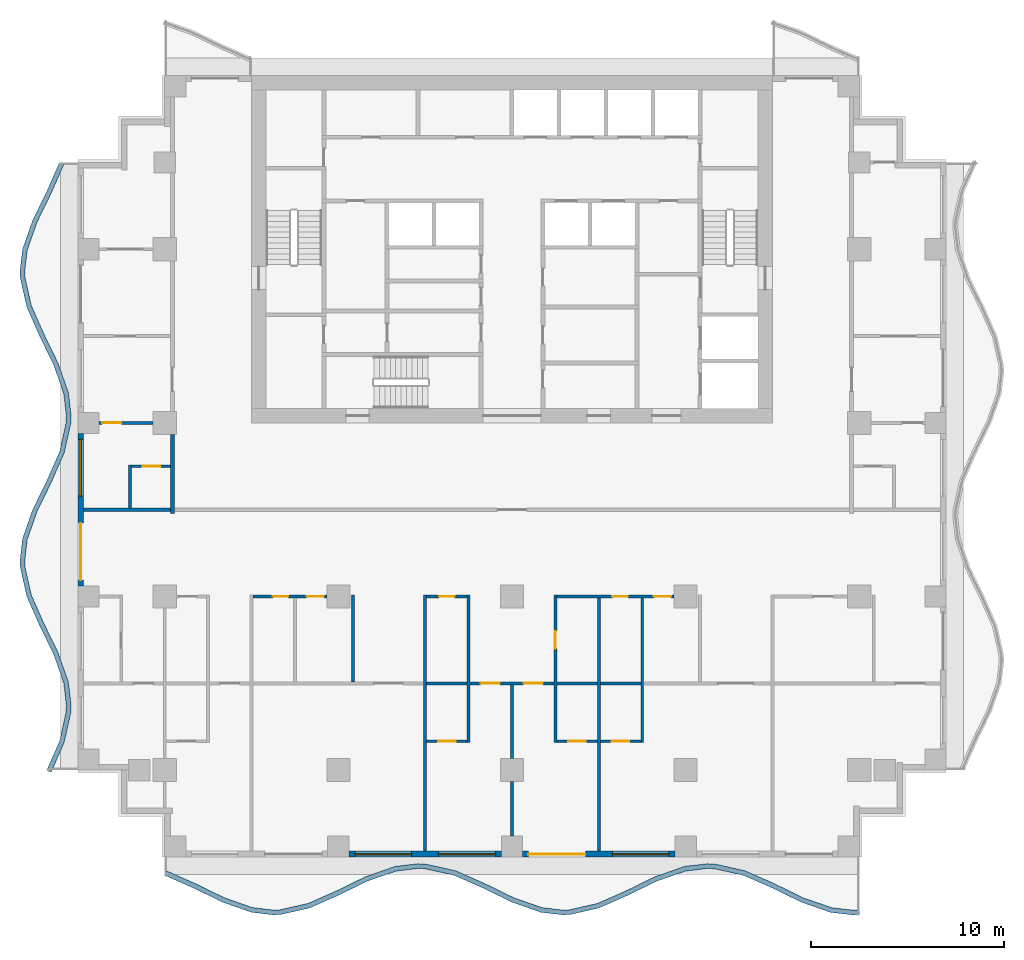
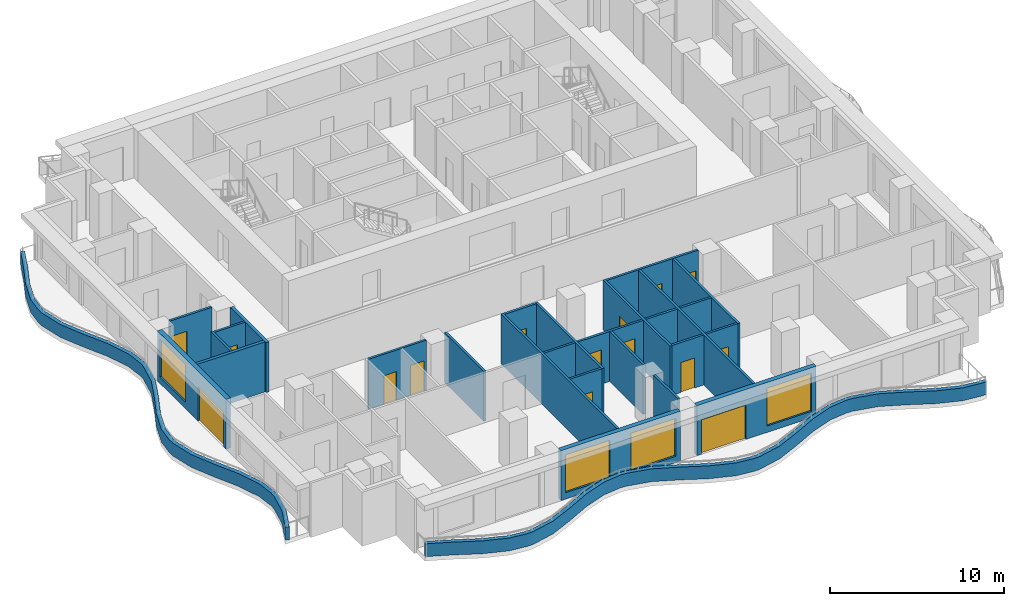
# One storey, part 2 of 10: 28 walls, 15 doors, 4 windows, 19 openings.
"""IFC4 building model written with IfcOpenShell, lengths in metres."""

from ifc_helpers import new_model, si_unit, direction, frame, frame_2d, origin, place, context, subcontext, project, spatial, polyline, rectangle, outline, extrude, material, layer, layer_set, type_object, element, fill, save


model = new_model("IFC4")

# Units and contexts
model_context = context("Model", 3, precision=1e-05, world=origin(), true_north=direction((0.0, 1.0)))
body_context = subcontext(model_context, "Body", "Model", "MODEL_VIEW")
ifc_project = project(units=[si_unit("LENGTHUNIT", "METRE"), si_unit("AREAUNIT", "SQUARE_METRE"), si_unit("VOLUMEUNIT", "CUBIC_METRE"), si_unit("PLANEANGLEUNIT", "RADIAN"), si_unit("MASSUNIT", "GRAM", prefix="KILO")], contexts=[model_context])

# Site, building, storey
site_placement = place(None, origin())
site = spatial("IfcSite", under=ifc_project, at=site_placement, CompositionType="ELEMENT")
building_placement = place(site_placement, origin())
building = spatial("IfcBuilding", under=site, at=building_placement, Name="Orbiselva Terraces", CompositionType="ELEMENT")
storey_placement = place(building_placement, frame((0.0, 0.0, 170.6)))
storey = spatial("IfcBuildingStorey", under=building, at=storey_placement, Name="L43", CompositionType="ELEMENT", Elevation=170.6)

# Walls
ifc_material_1 = material(Name="Concrete C40/50", Category="concrete")
ifc_layer_1 = layer(ifc_material_1, 0.25)
ifc_layer_set_1 = layer_set([ifc_layer_1], Name="Concrete C40/50")
wall_type_1 = type_object("IfcWallType", Name="ENV-PLANTER-250x900", PredefinedType="USERDEFINED", material=ifc_layer_set_1)
wall_1_placement = place(storey_placement, origin())
element("IfcWall", 1, at=wall_1_placement, inside=storey, type_object=wall_type_1, Name="Balcony planter L43 S", ObjectType="PLANTER", PredefinedType="USERDEFINED", context=body_context, shape_type="SweptSolid", body=[
    extrude(outline(polyline([(-18.0, -18.951472), (-16.5, -19.612279), (-15.0, -20.344789), (-13.5, -20.869208), (-12.375, -21.0), (-12.0, -20.985226), (-10.5, -20.648528), (-9.0, -19.987721), (-7.5, -19.255211), (-6.0, -18.730792), (-4.875, -18.6), (-4.5, -18.614774), (-3.0, -18.951472), (-1.5, -19.612279), (0.0, -20.344789), (1.5, -20.869208), (2.625, -21.0), (3.0, -20.985226), (4.5, -20.648528), (6.0, -19.987721), (7.5, -19.255211), (9.0, -18.730792), (10.125, -18.6), (10.5, -18.614774), (12.0, -18.951472), (13.5, -19.612279), (15.0, -20.344789), (16.5, -20.869208), (17.625, -21.0), (18.0, -20.985226), (17.990158, -20.73542), (17.634572, -20.749429), (16.556371, -20.624078), (15.09644, -20.113667), (13.605286, -19.385477), (12.078508, -18.712874), (10.532565, -18.365863), (10.115428, -18.349429), (8.943629, -18.485662), (7.40356, -19.024089), (5.894714, -19.760919), (4.421492, -20.40993), (2.967435, -20.736315), (2.634572, -20.749429), (1.556371, -20.624078), (0.09644, -20.113667), (-1.394714, -19.385477), (-2.921492, -18.712874), (-4.467435, -18.365863), (-4.884572, -18.349429), (-6.056371, -18.485662), (-7.59644, -19.024089), (-9.105286, -19.760919), (-10.578508, -20.40993), (-12.032565, -20.736315), (-12.365428, -20.749429), (-13.443629, -20.624078), (-14.90356, -20.113667), (-16.394714, -19.385477), (-17.899212, -18.722689), (-18.0, -18.951472)])), origin(), (0.0, 0.0, 1.0), 0.9),
])
wall_2_placement = place(storey_placement, origin())
element("IfcWall", 2, at=wall_2_placement, inside=storey, type_object=wall_type_1, Name="Balcony planter L43 W", ObjectType="PLANTER", PredefinedType="USERDEFINED", context=body_context, shape_type="SweptSolid", body=[
    extrude(outline(polyline([(-23.451472, 18.0), (-24.112279, 16.5), (-24.844789, 15.0), (-25.369208, 13.5), (-25.5, 12.375), (-25.485226, 12.0), (-25.148528, 10.5), (-24.487721, 9.0), (-23.755211, 7.5), (-23.230792, 6.0), (-23.1, 4.875), (-23.114774, 4.5), (-23.451472, 3.0), (-24.112279, 1.5), (-24.844789, 0.0), (-25.369208, -1.5), (-25.5, -2.625), (-25.485226, -3.0), (-25.148528, -4.5), (-24.487721, -6.0), (-23.755211, -7.5), (-23.230792, -9.0), (-23.1, -10.125), (-23.114774, -10.5), (-23.451472, -12.0), (-24.112279, -13.5), (-23.883496, -13.600788), (-23.212874, -12.078508), (-22.865863, -10.532565), (-22.849429, -10.115428), (-22.985662, -8.943629), (-23.524089, -7.40356), (-24.260919, -5.894714), (-24.90993, -4.421492), (-25.236315, -2.967435), (-25.249429, -2.634572), (-25.124078, -1.556371), (-24.613667, -0.09644), (-23.885477, 1.394714), (-23.212874, 2.921492), (-22.865863, 4.467435), (-22.849429, 4.884572), (-22.985662, 6.056371), (-23.524089, 7.59644), (-24.260919, 9.105286), (-24.90993, 10.578508), (-25.236315, 12.032565), (-25.249429, 12.365428), (-25.124078, 13.443629), (-24.613667, 14.90356), (-23.885477, 16.394714), (-23.222689, 17.899212), (-23.451472, 18.0)])), origin(), (0.0, 0.0, 1.0), 0.9),
])

# Wall, openings, windows
ifc_material_2 = material(Name="Terracotta cladding on masonry backing", Category="masonry")
ifc_layer_2 = layer(ifc_material_2, 0.3)
ifc_layer_set_2 = layer_set([ifc_layer_2], Name="Terracotta cladding on masonry backing")
wall_type_2 = type_object("IfcWallType", Name="ENV-WALL-TERRACOTTA-300", PredefinedType="SOLIDWALL", material=ifc_layer_set_2)
wall_3_placement = place(storey_placement, frame((-0.55, -17.85, 0.0), z_axis=(0.0, 0.0, 1.0), x_axis=(-1.0, 0.0, 0.0)))
wall_3 = element("IfcWall", 3, at=wall_3_placement, inside=storey, type_object=wall_type_2, Name="Facade wall L43 S", PredefinedType="SOLIDWALL", context=body_context, shape_type="SweptSolid", body=[
    extrude(rectangle(XDim=7.9, YDim=0.3, at=frame_2d((3.95, 0.0))), origin(), (0.0, 0.0, 1.0), 3.5),
])
opening_1_placement = place(wall_3_placement, frame((4.65, 0.0, 0.45)))
opening_1 = element("IfcOpeningElement", 4, at=opening_1_placement, cuts=wall_3, Name="Opening WN12", PredefinedType="OPENING", context=body_context, shape_type="SweptSolid", body=[
    extrude(rectangle(XDim=2.95, YDim=2.65, at=frame_2d((1.475, 1.325))), frame((0.0, 0.16, 0.0), z_axis=(0.0, -1.0, 0.0), x_axis=(1.0, 0.0, 0.0)), (0.0, 0.0, 1.0), 0.32),
])
opening_2_placement = place(wall_3_placement, frame((0.3, 0.0, 0.45)))
opening_2 = element("IfcOpeningElement", 5, at=opening_2_placement, cuts=wall_3, Name="Opening WN12", PredefinedType="OPENING", context=body_context, shape_type="SweptSolid", body=[
    extrude(rectangle(XDim=2.95, YDim=2.65, at=frame_2d((1.475, 1.325))), frame((0.0, 0.16, 0.0), z_axis=(0.0, -1.0, 0.0), x_axis=(1.0, 0.0, 0.0)), (0.0, 0.0, 1.0), 0.32),
])
ifc_material_3 = material(Name="Clear low-e glazing in aluminium frame", Category="aluminium")
window_type = type_object("IfcWindowType", Name="WINDOW 2950 X 2650 S450", PartitioningType="TRIPLE_PANEL_VERTICAL", PredefinedType="WINDOW", material=ifc_material_3)
window_1_placement = place(opening_1_placement, origin())
window_1 = element("IfcWindow", 6, at=window_1_placement, inside=storey, type_object=window_type, Name="Window L43 S", OverallHeight=2.65, OverallWidth=2.95, PartitioningType="SINGLE_PANEL", PredefinedType="WINDOW", context=body_context, shape_type="SweptSolid", body=[
    extrude(rectangle(XDim=2.95, YDim=2.65, at=frame_2d((1.475, 1.325))), frame((0.0, 0.03, 0.0), z_axis=(0.0, -1.0, 0.0), x_axis=(1.0, 0.0, 0.0)), (0.0, 0.0, 1.0), 0.06),
])
fill(opening_1, window_1)
window_2_placement = place(opening_2_placement, origin())
window_2 = element("IfcWindow", 7, at=window_2_placement, inside=storey, type_object=window_type, Name="Window L43 S", OverallHeight=2.65, OverallWidth=2.95, PartitioningType="SINGLE_PANEL", PredefinedType="WINDOW", context=body_context, shape_type="SweptSolid", body=[
    extrude(rectangle(XDim=2.95, YDim=2.65, at=frame_2d((1.475, 1.325))), frame((0.0, 0.03, 0.0), z_axis=(0.0, -1.0, 0.0), x_axis=(1.0, 0.0, 0.0)), (0.0, 0.0, 1.0), 0.06),
])
fill(opening_2, window_2)

# Wall, openings, door, window
wall_4_placement = place(storey_placement, frame((8.45, -17.85, 0.0), z_axis=(0.0, 0.0, 1.0), x_axis=(-1.0, 0.0, 0.0)))
wall_4 = element("IfcWall", 8, at=wall_4_placement, inside=storey, type_object=wall_type_2, Name="Facade wall L43 S", PredefinedType="SOLIDWALL", context=body_context, shape_type="SweptSolid", body=[
    extrude(rectangle(XDim=7.9, YDim=0.3, at=frame_2d((3.95, 0.0))), origin(), (0.0, 0.0, 1.0), 3.5),
])
opening_3_placement = place(wall_4_placement, frame((4.65, 0.0, 0.0)))
opening_3 = element("IfcOpeningElement", 9, at=opening_3_placement, cuts=wall_4, Name="Opening Z3-E-E02", PredefinedType="OPENING", context=body_context, shape_type="SweptSolid", body=[
    extrude(rectangle(XDim=2.95, YDim=2.4, at=frame_2d((1.475, 1.2))), frame((0.0, 0.16, 0.0), z_axis=(0.0, -1.0, 0.0), x_axis=(1.0, 0.0, 0.0)), (0.0, 0.0, 1.0), 0.32),
])
opening_4_placement = place(wall_4_placement, frame((0.3, 0.0, 0.45)))
opening_4 = element("IfcOpeningElement", 10, at=opening_4_placement, cuts=wall_4, Name="Opening WN12", PredefinedType="OPENING", context=body_context, shape_type="SweptSolid", body=[
    extrude(rectangle(XDim=2.95, YDim=2.65, at=frame_2d((1.475, 1.325))), frame((0.0, 0.16, 0.0), z_axis=(0.0, -1.0, 0.0), x_axis=(1.0, 0.0, 0.0)), (0.0, 0.0, 1.0), 0.32),
])
door_type_1 = type_object("IfcDoorType", Name="BALCONY DOOR 2950 X 2400", OperationType="DOUBLE_DOOR_SLIDING", PredefinedType="DOOR", material=ifc_material_3)
door_1_placement = place(opening_3_placement, origin())
door_1 = element("IfcDoor", 11, at=door_1_placement, inside=storey, type_object=door_type_1, Name="Z3-E-E02", OperationType="SINGLE_SWING_LEFT", OverallHeight=2.4, OverallWidth=2.95, PredefinedType="DOOR", context=body_context, shape_type="SweptSolid", body=[
    extrude(rectangle(XDim=2.95, YDim=2.4, at=frame_2d((1.475, 1.2))), frame((0.0, 0.025, 0.0), z_axis=(0.0, -1.0, 0.0), x_axis=(1.0, 0.0, 0.0)), (0.0, 0.0, 1.0), 0.05),
])
fill(opening_3, door_1)
window_3_placement = place(opening_4_placement, origin())
window_3 = element("IfcWindow", 12, at=window_3_placement, inside=storey, type_object=window_type, Name="Window L43 S", OverallHeight=2.65, OverallWidth=2.95, PartitioningType="SINGLE_PANEL", PredefinedType="WINDOW", context=body_context, shape_type="SweptSolid", body=[
    extrude(rectangle(XDim=2.95, YDim=2.65, at=frame_2d((1.475, 1.325))), frame((0.0, 0.03, 0.0), z_axis=(0.0, -1.0, 0.0), x_axis=(1.0, 0.0, 0.0)), (0.0, 0.0, 1.0), 0.06),
])
fill(opening_4, window_3)

wall_5_placement = place(storey_placement, frame((-22.35, -3.95, 0.0), z_axis=(0.0, 0.0, 1.0), x_axis=(0.0, 1.0, 0.0)))
wall_5 = element("IfcWall", 13, at=wall_5_placement, inside=storey, type_object=wall_type_2, Name="Facade wall L43 W", PredefinedType="SOLIDWALL", context=body_context, shape_type="SweptSolid", body=[
    extrude(rectangle(XDim=7.9, YDim=0.3, at=frame_2d((3.95, 0.0))), origin(), (0.0, 0.0, 1.0), 3.5),
])
opening_5_placement = place(wall_5_placement, frame((4.65, 0.0, 0.45)))
opening_5 = element("IfcOpeningElement", 14, at=opening_5_placement, cuts=wall_5, Name="Opening WN12", PredefinedType="OPENING", context=body_context, shape_type="SweptSolid", body=[
    extrude(rectangle(XDim=2.95, YDim=2.65, at=frame_2d((1.475, 1.325))), frame((0.0, 0.16, 0.0), z_axis=(0.0, -1.0, 0.0), x_axis=(1.0, 0.0, 0.0)), (0.0, 0.0, 1.0), 0.32),
])
opening_6_placement = place(wall_5_placement, frame((0.3, 0.0, 0.0)))
opening_6 = element("IfcOpeningElement", 15, at=opening_6_placement, cuts=wall_5, Name="Opening Z3-E-E10", PredefinedType="OPENING", context=body_context, shape_type="SweptSolid", body=[
    extrude(rectangle(XDim=2.95, YDim=2.4, at=frame_2d((1.475, 1.2))), frame((0.0, 0.16, 0.0), z_axis=(0.0, -1.0, 0.0), x_axis=(1.0, 0.0, 0.0)), (0.0, 0.0, 1.0), 0.32),
])
door_2_placement = place(opening_6_placement, origin())
door_2 = element("IfcDoor", 16, at=door_2_placement, inside=storey, type_object=door_type_1, Name="Z3-E-E10", OperationType="SINGLE_SWING_LEFT", OverallHeight=2.4, OverallWidth=2.95, PredefinedType="DOOR", context=body_context, shape_type="SweptSolid", body=[
    extrude(rectangle(XDim=2.95, YDim=2.4, at=frame_2d((1.475, 1.2))), frame((0.0, 0.025, 0.0), z_axis=(0.0, -1.0, 0.0), x_axis=(1.0, 0.0, 0.0)), (0.0, 0.0, 1.0), 0.05),
])
fill(opening_6, door_2)
window_4_placement = place(opening_5_placement, origin())
window_4 = element("IfcWindow", 17, at=window_4_placement, inside=storey, type_object=window_type, Name="Window L43 W", OverallHeight=2.65, OverallWidth=2.95, PartitioningType="SINGLE_PANEL", PredefinedType="WINDOW", context=body_context, shape_type="SweptSolid", body=[
    extrude(rectangle(XDim=2.95, YDim=2.65, at=frame_2d((1.475, 1.325))), frame((0.0, 0.03, 0.0), z_axis=(0.0, -1.0, 0.0), x_axis=(1.0, 0.0, 0.0)), (0.0, 0.0, 1.0), 0.06),
])
fill(opening_5, window_4)

# Wall
ifc_material_4 = material(Name="Plasterboard on steel stud partition", Category="steel")
ifc_layer_3 = layer(ifc_material_4, 0.2)
ifc_layer_set_3 = layer_set([ifc_layer_3], Name="Plasterboard on steel stud partition")
wall_type_3 = type_object("IfcWallType", Name="UNIT-ENTRANCE-WALL-200", PredefinedType="PARTITIONING", material=ifc_layer_set_3)
wall_6_placement = place(storey_placement, frame((-17.6, -0.2, 0.0), z_axis=(0.0, 0.0, 1.0), x_axis=(0.0, 1.0, 0.0)))
element("IfcWall", 18, at=wall_6_placement, inside=storey, type_object=wall_type_3, Name="PARTITION L43-036", PredefinedType="PARTITIONING", context=body_context, shape_type="SweptSolid", body=[
    extrude(rectangle(XDim=4.1, YDim=0.2, at=frame_2d((2.05, 0.0))), origin(), (0.0, 0.0, 1.0), 3.5),
])

# Wall, opening, door
ifc_layer_4 = layer(ifc_material_4, 0.15)
ifc_layer_set_4 = layer_set([ifc_layer_4], Name="Plasterboard on steel stud partition")
wall_type_4 = type_object("IfcWallType", Name="UNIT-PARTITION-150", PredefinedType="PARTITIONING", material=ifc_layer_set_4)
wall_7_placement = place(storey_placement, frame((-4.425, -12.0, 0.0), z_axis=(0.0, 0.0, 1.0), x_axis=(1.0, 0.0, 0.0)))
wall_7 = element("IfcWall", 19, at=wall_7_placement, inside=storey, type_object=wall_type_4, Name="PARTITION L43-002", PredefinedType="PARTITIONING", context=body_context, shape_type="SweptSolid", body=[
    extrude(rectangle(XDim=2.1, YDim=0.15, at=frame_2d((1.05, 0.0))), origin(), (0.0, 0.0, 1.0), 3.5),
])
opening_7_placement = place(wall_7_placement, frame((0.6, 0.0, 0.0)))
opening_7 = element("IfcOpeningElement", 20, at=opening_7_placement, cuts=wall_7, Name="Opening Z3-E-27", PredefinedType="OPENING", context=body_context, shape_type="SweptSolid", body=[
    extrude(rectangle(XDim=0.9, YDim=2.1, at=frame_2d((0.45, 1.05))), frame((0.0, 0.085, 0.0), z_axis=(0.0, -1.0, 0.0), x_axis=(1.0, 0.0, 0.0)), (0.0, 0.0, 1.0), 0.17),
])
ifc_material_5 = material(Name="Painted timber door leaf", Category="wood")
door_type_2 = type_object("IfcDoorType", Name="BATH DOOR 900", OperationType="NOTDEFINED", PredefinedType="DOOR", material=ifc_material_5)
door_3_placement = place(opening_7_placement, origin())
door_3 = element("IfcDoor", 21, at=door_3_placement, inside=storey, type_object=door_type_2, Name="Z3-E-27", OperationType="SINGLE_SWING_RIGHT", OverallHeight=2.1, OverallWidth=0.9, PredefinedType="DOOR", context=body_context, shape_type="SweptSolid", body=[
    extrude(rectangle(XDim=0.9, YDim=2.1, at=frame_2d((0.45, 1.05))), frame((0.0, 0.025, 0.0), z_axis=(0.0, -1.0, 0.0), x_axis=(1.0, 0.0, 0.0)), (0.0, 0.0, 1.0), 0.05),
])
fill(opening_7, door_3)

wall_8_placement = place(storey_placement, frame((2.325, -12.0, 0.0), z_axis=(0.0, 0.0, 1.0), x_axis=(1.0, 0.0, 0.0)))
wall_8 = element("IfcWall", 22, at=wall_8_placement, inside=storey, type_object=wall_type_4, Name="PARTITION L43-003", PredefinedType="PARTITIONING", context=body_context, shape_type="SweptSolid", body=[
    extrude(rectangle(XDim=2.1, YDim=0.15, at=frame_2d((1.05, 0.0))), origin(), (0.0, 0.0, 1.0), 3.5),
])
opening_8_placement = place(wall_8_placement, frame((0.6, 0.0, 0.0)))
opening_8 = element("IfcOpeningElement", 23, at=opening_8_placement, cuts=wall_8, Name="Opening Z3-E-25", PredefinedType="OPENING", context=body_context, shape_type="SweptSolid", body=[
    extrude(rectangle(XDim=0.9, YDim=2.1, at=frame_2d((0.45, 1.05))), frame((0.0, 0.085, 0.0), z_axis=(0.0, -1.0, 0.0), x_axis=(1.0, 0.0, 0.0)), (0.0, 0.0, 1.0), 0.17),
])
door_4_placement = place(opening_8_placement, origin())
door_4 = element("IfcDoor", 24, at=door_4_placement, inside=storey, type_object=door_type_2, Name="Z3-E-25", OperationType="SINGLE_SWING_RIGHT", OverallHeight=2.1, OverallWidth=0.9, PredefinedType="DOOR", context=body_context, shape_type="SweptSolid", body=[
    extrude(rectangle(XDim=0.9, YDim=2.1, at=frame_2d((0.45, 1.05))), frame((0.0, 0.025, 0.0), z_axis=(0.0, -1.0, 0.0), x_axis=(1.0, 0.0, 0.0)), (0.0, 0.0, 1.0), 0.05),
])
fill(opening_8, door_4)

wall_9_placement = place(storey_placement, frame((4.575, -12.0, 0.0), z_axis=(0.0, 0.0, 1.0), x_axis=(1.0, 0.0, 0.0)))
wall_9 = element("IfcWall", 25, at=wall_9_placement, inside=storey, type_object=wall_type_4, Name="PARTITION L43-004", PredefinedType="PARTITIONING", context=body_context, shape_type="SweptSolid", body=[
    extrude(rectangle(XDim=2.1, YDim=0.15, at=frame_2d((1.05, 0.0))), origin(), (0.0, 0.0, 1.0), 3.5),
])
opening_9_placement = place(wall_9_placement, frame((0.6, 0.0, 0.0)))
opening_9 = element("IfcOpeningElement", 26, at=opening_9_placement, cuts=wall_9, Name="Opening Z3-E-23", PredefinedType="OPENING", context=body_context, shape_type="SweptSolid", body=[
    extrude(rectangle(XDim=0.9, YDim=2.1, at=frame_2d((0.45, 1.05))), frame((0.0, 0.085, 0.0), z_axis=(0.0, -1.0, 0.0), x_axis=(1.0, 0.0, 0.0)), (0.0, 0.0, 1.0), 0.17),
])
door_5_placement = place(opening_9_placement, origin())
door_5 = element("IfcDoor", 27, at=door_5_placement, inside=storey, type_object=door_type_2, Name="Z3-E-23", OperationType="SINGLE_SWING_LEFT", OverallHeight=2.1, OverallWidth=0.9, PredefinedType="DOOR", context=body_context, shape_type="SweptSolid", body=[
    extrude(rectangle(XDim=0.9, YDim=2.1, at=frame_2d((0.45, 1.05))), frame((0.0, 0.025, 0.0), z_axis=(0.0, -1.0, 0.0), x_axis=(1.0, 0.0, 0.0)), (0.0, 0.0, 1.0), 0.05),
])
fill(opening_9, door_5)

# Wall
wall_10_placement = place(storey_placement, frame((-4.425, -9.0, 0.0), z_axis=(0.0, 0.0, 1.0), x_axis=(1.0, 0.0, 0.0)))
element("IfcWall", 28, at=wall_10_placement, inside=storey, type_object=wall_type_4, Name="PARTITION L43-009", PredefinedType="PARTITIONING", context=body_context, shape_type="SweptSolid", body=[
    extrude(rectangle(XDim=2.1, YDim=0.15, at=frame_2d((1.05, 0.0))), origin(), (0.0, 0.0, 1.0), 3.5),
])

# Wall, openings, doors
wall_11_placement = place(storey_placement, frame((2.175, -9.0, 0.0), z_axis=(0.0, 0.0, 1.0), x_axis=(-1.0, 0.0, 0.0)))
wall_11 = element("IfcWall", 29, at=wall_11_placement, inside=storey, type_object=wall_type_4, Name="PARTITION L43-010", PredefinedType="PARTITIONING", context=body_context, shape_type="SweptSolid", body=[
    extrude(rectangle(XDim=4.35, YDim=0.15, at=frame_2d((2.175, 0.0))), origin(), (0.0, 0.0, 1.0), 3.5),
])
opening_10_placement = place(wall_11_placement, frame((0.575, 0.0, 0.0)))
opening_10 = element("IfcOpeningElement", 30, at=opening_10_placement, cuts=wall_11, Name="Opening Z3-E-24", PredefinedType="OPENING", context=body_context, shape_type="SweptSolid", body=[
    extrude(rectangle(XDim=1.0, YDim=2.4, at=frame_2d((0.5, 1.2))), frame((0.0, 0.085, 0.0), z_axis=(0.0, -1.0, 0.0), x_axis=(1.0, 0.0, 0.0)), (0.0, 0.0, 1.0), 0.17),
])
opening_11_placement = place(wall_11_placement, frame((2.8, 0.0, 0.0)))
opening_11 = element("IfcOpeningElement", 31, at=opening_11_placement, cuts=wall_11, Name="Opening Z3-E-26", PredefinedType="OPENING", context=body_context, shape_type="SweptSolid", body=[
    extrude(rectangle(XDim=1.0, YDim=2.4, at=frame_2d((0.5, 1.2))), frame((0.0, 0.085, 0.0), z_axis=(0.0, -1.0, 0.0), x_axis=(1.0, 0.0, 0.0)), (0.0, 0.0, 1.0), 0.17),
])
door_type_3 = type_object("IfcDoorType", Name="ROOM DOOR 1000", OperationType="NOTDEFINED", PredefinedType="DOOR", material=ifc_material_5)
door_6_placement = place(opening_10_placement, origin())
door_6 = element("IfcDoor", 32, at=door_6_placement, inside=storey, type_object=door_type_3, Name="Z3-E-24", OperationType="SINGLE_SWING_LEFT", OverallHeight=2.4, OverallWidth=1.0, PredefinedType="DOOR", context=body_context, shape_type="SweptSolid", body=[
    extrude(rectangle(XDim=1.0, YDim=2.4, at=frame_2d((0.5, 1.2))), frame((0.0, 0.025, 0.0), z_axis=(0.0, -1.0, 0.0), x_axis=(1.0, 0.0, 0.0)), (0.0, 0.0, 1.0), 0.05),
])
fill(opening_10, door_6)
door_7_placement = place(opening_11_placement, origin())
door_7 = element("IfcDoor", 33, at=door_7_placement, inside=storey, type_object=door_type_3, Name="Z3-E-26", OperationType="SINGLE_SWING_RIGHT", OverallHeight=2.4, OverallWidth=1.0, PredefinedType="DOOR", context=body_context, shape_type="SweptSolid", body=[
    extrude(rectangle(XDim=1.0, YDim=2.4, at=frame_2d((0.5, 1.2))), frame((0.0, 0.025, 0.0), z_axis=(0.0, -1.0, 0.0), x_axis=(1.0, 0.0, 0.0)), (0.0, 0.0, 1.0), 0.05),
])
fill(opening_11, door_7)

# Walls
for number, where, z_axis, x_axis, name in (
    (34, (2.325, -9.0, 0.0), (0.0, 0.0, 1.0), (1.0, 0.0, 0.0), "PARTITION L43-011"),
    (35, (4.575, -9.0, 0.0), (0.0, 0.0, 1.0), (1.0, 0.0, 0.0), "PARTITION L43-012"),
):
    element("IfcWall", number, at=place(storey_placement, frame(where, z_axis=z_axis, x_axis=x_axis)), inside=storey, type_object=wall_type_4, Name=name, PredefinedType="PARTITIONING", context=body_context, shape_type="SweptSolid", body=[
        extrude(rectangle(XDim=2.1, YDim=0.15, at=frame_2d((1.05, 0.0))), origin(), (0.0, 0.0, 1.0), 3.5),
    ])

# Wall, openings, doors
wall_12_placement = place(storey_placement, frame((-9.6, -4.5, 0.0), z_axis=(0.0, 0.0, 1.0), x_axis=(-1.0, 0.0, 0.0)))
wall_12 = element("IfcWall", 36, at=wall_12_placement, inside=storey, type_object=wall_type_4, Name="PARTITION L43-017", PredefinedType="PARTITIONING", context=body_context, shape_type="SweptSolid", body=[
    extrude(rectangle(XDim=3.825, YDim=0.15, at=frame_2d((1.9125, 0.0))), origin(), (0.0, 0.0, 1.0), 3.5),
])
opening_12_placement = place(wall_12_placement, frame((0.15, 0.0, 0.0)))
opening_12 = element("IfcOpeningElement", 37, at=opening_12_placement, cuts=wall_12, Name="Opening Z3-E-17", PredefinedType="OPENING", context=body_context, shape_type="SweptSolid", body=[
    extrude(rectangle(XDim=0.9, YDim=2.1, at=frame_2d((0.45, 1.05))), frame((0.0, 0.085, 0.0), z_axis=(0.0, -1.0, 0.0), x_axis=(1.0, 0.0, 0.0)), (0.0, 0.0, 1.0), 0.17),
])
opening_13_placement = place(wall_12_placement, frame((2.0, 0.0, 0.0)))
opening_13 = element("IfcOpeningElement", 38, at=opening_13_placement, cuts=wall_12, Name="Opening Z3-E-18", PredefinedType="OPENING", context=body_context, shape_type="SweptSolid", body=[
    extrude(rectangle(XDim=0.8, YDim=2.0, at=frame_2d((0.4, 1.0))), frame((0.0, 0.085, 0.0), z_axis=(0.0, -1.0, 0.0), x_axis=(1.0, 0.0, 0.0)), (0.0, 0.0, 1.0), 0.17),
])
door_type_4 = type_object("IfcDoorType", Name="SERVICE DOOR 900", OperationType="NOTDEFINED", PredefinedType="DOOR", material=ifc_material_5)
door_8_placement = place(opening_12_placement, origin())
door_8 = element("IfcDoor", 39, at=door_8_placement, inside=storey, type_object=door_type_4, Name="Z3-E-17", OperationType="SINGLE_SWING_LEFT", OverallHeight=2.1, OverallWidth=0.9, PredefinedType="DOOR", context=body_context, shape_type="SweptSolid", body=[
    extrude(rectangle(XDim=0.9, YDim=2.1, at=frame_2d((0.45, 1.05))), frame((0.0, 0.025, 0.0), z_axis=(0.0, -1.0, 0.0), x_axis=(1.0, 0.0, 0.0)), (0.0, 0.0, 1.0), 0.05),
])
fill(opening_12, door_8)
door_type_5 = type_object("IfcDoorType", Name="STORE DOOR 800", OperationType="NOTDEFINED", PredefinedType="DOOR", material=ifc_material_5)
door_9_placement = place(opening_13_placement, origin())
door_9 = element("IfcDoor", 40, at=door_9_placement, inside=storey, type_object=door_type_5, Name="Z3-E-18", OperationType="SINGLE_SWING_RIGHT", OverallHeight=2.0, OverallWidth=0.8, PredefinedType="DOOR", context=body_context, shape_type="SweptSolid", body=[
    extrude(rectangle(XDim=0.8, YDim=2.0, at=frame_2d((0.4, 1.0))), frame((0.0, 0.025, 0.0), z_axis=(0.0, -1.0, 0.0), x_axis=(1.0, 0.0, 0.0)), (0.0, 0.0, 1.0), 0.05),
])
fill(opening_13, door_9)

# Wall, opening, door
wall_13_placement = place(storey_placement, frame((-2.325, -4.5, 0.0), z_axis=(0.0, 0.0, 1.0), x_axis=(-1.0, 0.0, 0.0)))
wall_13 = element("IfcWall", 41, at=wall_13_placement, inside=storey, type_object=wall_type_4, Name="PARTITION L43-018", PredefinedType="PARTITIONING", context=body_context, shape_type="SweptSolid", body=[
    extrude(rectangle(XDim=2.1, YDim=0.15, at=frame_2d((1.05, 0.0))), origin(), (0.0, 0.0, 1.0), 3.5),
])
opening_14_placement = place(wall_13_placement, frame((0.65, 0.0, 0.0)))
opening_14 = element("IfcOpeningElement", 42, at=opening_14_placement, cuts=wall_13, Name="Opening Z3-E-16", PredefinedType="OPENING", context=body_context, shape_type="SweptSolid", body=[
    extrude(rectangle(XDim=0.8, YDim=2.0, at=frame_2d((0.4, 1.0))), frame((0.0, 0.085, 0.0), z_axis=(0.0, -1.0, 0.0), x_axis=(1.0, 0.0, 0.0)), (0.0, 0.0, 1.0), 0.17),
])
door_10_placement = place(opening_14_placement, origin())
door_10 = element("IfcDoor", 43, at=door_10_placement, inside=storey, type_object=door_type_5, Name="Z3-E-16", OperationType="SINGLE_SWING_RIGHT", OverallHeight=2.0, OverallWidth=0.8, PredefinedType="DOOR", context=body_context, shape_type="SweptSolid", body=[
    extrude(rectangle(XDim=0.8, YDim=2.0, at=frame_2d((0.4, 1.0))), frame((0.0, 0.025, 0.0), z_axis=(0.0, -1.0, 0.0), x_axis=(1.0, 0.0, 0.0)), (0.0, 0.0, 1.0), 0.05),
])
fill(opening_14, door_10)

# Wall, openings, doors
wall_14_placement = place(storey_placement, frame((8.4, -4.5, 0.0), z_axis=(0.0, 0.0, 1.0), x_axis=(-1.0, 0.0, 0.0)))
wall_14 = element("IfcWall", 44, at=wall_14_placement, inside=storey, type_object=wall_type_4, Name="PARTITION L43-019", PredefinedType="PARTITIONING", context=body_context, shape_type="SweptSolid", body=[
    extrude(rectangle(XDim=6.075, YDim=0.15, at=frame_2d((3.0375, 0.0))), origin(), (0.0, 0.0, 1.0), 3.5),
])
opening_15_placement = place(wall_14_placement, frame((0.15, 0.0, 0.0)))
opening_15 = element("IfcOpeningElement", 45, at=opening_15_placement, cuts=wall_14, Name="Opening Z3-E-13", PredefinedType="OPENING", context=body_context, shape_type="SweptSolid", body=[
    extrude(rectangle(XDim=0.9, YDim=2.1, at=frame_2d((0.45, 1.05))), frame((0.0, 0.085, 0.0), z_axis=(0.0, -1.0, 0.0), x_axis=(1.0, 0.0, 0.0)), (0.0, 0.0, 1.0), 0.17),
])
opening_16_placement = place(wall_14_placement, frame((2.4, 0.0, 0.0)))
opening_16 = element("IfcOpeningElement", 46, at=opening_16_placement, cuts=wall_14, Name="Opening Z3-E-14", PredefinedType="OPENING", context=body_context, shape_type="SweptSolid", body=[
    extrude(rectangle(XDim=0.8, YDim=2.0, at=frame_2d((0.4, 1.0))), frame((0.0, 0.085, 0.0), z_axis=(0.0, -1.0, 0.0), x_axis=(1.0, 0.0, 0.0)), (0.0, 0.0, 1.0), 0.17),
])
door_11_placement = place(opening_15_placement, origin())
door_11 = element("IfcDoor", 47, at=door_11_placement, inside=storey, type_object=door_type_4, Name="Z3-E-13", OperationType="SINGLE_SWING_LEFT", OverallHeight=2.1, OverallWidth=0.9, PredefinedType="DOOR", context=body_context, shape_type="SweptSolid", body=[
    extrude(rectangle(XDim=0.9, YDim=2.1, at=frame_2d((0.45, 1.05))), frame((0.0, 0.025, 0.0), z_axis=(0.0, -1.0, 0.0), x_axis=(1.0, 0.0, 0.0)), (0.0, 0.0, 1.0), 0.05),
])
fill(opening_15, door_11)
door_12_placement = place(opening_16_placement, origin())
door_12 = element("IfcDoor", 48, at=door_12_placement, inside=storey, type_object=door_type_5, Name="Z3-E-14", OperationType="SINGLE_SWING_LEFT", OverallHeight=2.0, OverallWidth=0.8, PredefinedType="DOOR", context=body_context, shape_type="SweptSolid", body=[
    extrude(rectangle(XDim=0.8, YDim=2.0, at=frame_2d((0.4, 1.0))), frame((0.0, 0.025, 0.0), z_axis=(0.0, -1.0, 0.0), x_axis=(1.0, 0.0, 0.0)), (0.0, 0.0, 1.0), 0.05),
])
fill(opening_16, door_12)

# Wall, opening, door
wall_15_placement = place(storey_placement, frame((-17.7, 2.25, 0.0), z_axis=(0.0, 0.0, 1.0), x_axis=(-1.0, 0.0, 0.0)))
wall_15 = element("IfcWall", 49, at=wall_15_placement, inside=storey, type_object=wall_type_4, Name="PARTITION L43-024", PredefinedType="PARTITIONING", context=body_context, shape_type="SweptSolid", body=[
    extrude(rectangle(XDim=2.03, YDim=0.15, at=frame_2d((1.015, 0.0))), origin(), (0.0, 0.0, 1.0), 3.5),
])
opening_17_placement = place(wall_15_placement, frame((0.53, 0.0, 0.0)))
opening_17 = element("IfcOpeningElement", 50, at=opening_17_placement, cuts=wall_15, Name="Opening Z3-E-02", PredefinedType="OPENING", context=body_context, shape_type="SweptSolid", body=[
    extrude(rectangle(XDim=0.9, YDim=2.1, at=frame_2d((0.45, 1.05))), frame((0.0, 0.085, 0.0), z_axis=(0.0, -1.0, 0.0), x_axis=(1.0, 0.0, 0.0)), (0.0, 0.0, 1.0), 0.17),
])
door_13_placement = place(opening_17_placement, origin())
door_13 = element("IfcDoor", 51, at=door_13_placement, inside=storey, type_object=door_type_2, Name="Z3-E-02", OperationType="SINGLE_SWING_LEFT", OverallHeight=2.1, OverallWidth=0.9, PredefinedType="DOOR", context=body_context, shape_type="SweptSolid", body=[
    extrude(rectangle(XDim=0.9, YDim=2.1, at=frame_2d((0.45, 1.05))), frame((0.0, 0.025, 0.0), z_axis=(0.0, -1.0, 0.0), x_axis=(1.0, 0.0, 0.0)), (0.0, 0.0, 1.0), 0.05),
])
fill(opening_17, door_13)

wall_16_placement = place(storey_placement, frame((-18.6, 4.5, 0.0), z_axis=(0.0, 0.0, 1.0), x_axis=(-1.0, 0.0, 0.0)))
wall_16 = element("IfcWall", 52, at=wall_16_placement, inside=storey, type_object=wall_type_4, Name="PARTITION L43-026", PredefinedType="PARTITIONING", context=body_context, shape_type="SweptSolid", body=[
    extrude(rectangle(XDim=2.8, YDim=0.15, at=frame_2d((1.4, 0.0))), origin(), (0.0, 0.0, 1.0), 3.5),
])
opening_18_placement = place(wall_16_placement, frame((1.65, 0.0, 0.0)))
opening_18 = element("IfcOpeningElement", 53, at=opening_18_placement, cuts=wall_16, Name="Opening Z3-E-01", PredefinedType="OPENING", context=body_context, shape_type="SweptSolid", body=[
    extrude(rectangle(XDim=1.0, YDim=2.4, at=frame_2d((0.5, 1.2))), frame((0.0, 0.085, 0.0), z_axis=(0.0, -1.0, 0.0), x_axis=(1.0, 0.0, 0.0)), (0.0, 0.0, 1.0), 0.17),
])
door_14_placement = place(opening_18_placement, origin())
door_14 = element("IfcDoor", 54, at=door_14_placement, inside=storey, type_object=door_type_3, Name="Z3-E-01", OperationType="SINGLE_SWING_RIGHT", OverallHeight=2.4, OverallWidth=1.0, PredefinedType="DOOR", context=body_context, shape_type="SweptSolid", body=[
    extrude(rectangle(XDim=1.0, YDim=2.4, at=frame_2d((0.5, 1.2))), frame((0.0, 0.025, 0.0), z_axis=(0.0, -1.0, 0.0), x_axis=(1.0, 0.0, 0.0)), (0.0, 0.0, 1.0), 0.05),
])
fill(opening_18, door_14)

# Walls
wall_17_placement = place(storey_placement, frame((-19.805, 0.1, 0.0), z_axis=(0.0, 0.0, 1.0), x_axis=(0.0, 1.0, 0.0)))
element("IfcWall", 55, at=wall_17_placement, inside=storey, type_object=wall_type_4, Name="PARTITION L43-033", PredefinedType="PARTITIONING", context=body_context, shape_type="SweptSolid", body=[
    extrude(rectangle(XDim=2.225, YDim=0.15, at=frame_2d((1.1125, 0.0))), origin(), (0.0, 0.0, 1.0), 3.5),
])
wall_18_placement = place(storey_placement, frame((-8.25, -8.925, 0.0), z_axis=(0.0, 0.0, 1.0), x_axis=(0.0, 1.0, 0.0)))
element("IfcWall", 56, at=wall_18_placement, inside=storey, type_object=wall_type_4, Name="PARTITION L43-043", PredefinedType="PARTITIONING", context=body_context, shape_type="SweptSolid", body=[
    extrude(rectangle(XDim=4.5, YDim=0.15, at=frame_2d((2.25, 0.0))), origin(), (0.0, 0.0, 1.0), 3.5),
])
wall_19_placement = place(storey_placement, frame((-4.5, -17.7, 0.0), z_axis=(0.0, 0.0, 1.0), x_axis=(0.0, 1.0, 0.0)))
element("IfcWall", 57, at=wall_19_placement, inside=storey, type_object=wall_type_4, Name="PARTITION L43-044", PredefinedType="PARTITIONING", context=body_context, shape_type="SweptSolid", body=[
    extrude(rectangle(XDim=13.275, YDim=0.15, at=frame_2d((6.6375, 0.0))), origin(), (0.0, 0.0, 1.0), 3.5),
])
wall_20_placement = place(storey_placement, frame((-2.25, -12.075, 0.0), z_axis=(0.0, 0.0, 1.0), x_axis=(0.0, 1.0, 0.0)))
element("IfcWall", 58, at=wall_20_placement, inside=storey, type_object=wall_type_4, Name="PARTITION L43-045", PredefinedType="PARTITIONING", context=body_context, shape_type="SweptSolid", body=[
    extrude(rectangle(XDim=7.65, YDim=0.15, at=frame_2d((3.825, 0.0))), origin(), (0.0, 0.0, 1.0), 3.5),
])
wall_21_placement = place(storey_placement, frame((0.0, -16.9, 0.0), z_axis=(0.0, 0.0, 1.0), x_axis=(0.0, 1.0, 0.0)))
element("IfcWall", 59, at=wall_21_placement, inside=storey, type_object=wall_type_4, Name="PARTITION L43-046", PredefinedType="PARTITIONING", context=body_context, shape_type="SweptSolid", body=[
    extrude(rectangle(XDim=2.8, YDim=0.15, at=frame_2d((1.4, 0.0))), origin(), (0.0, 0.0, 1.0), 3.5),
])
wall_22_placement = place(storey_placement, frame((0.0, -12.9, 0.0), z_axis=(0.0, 0.0, 1.0), x_axis=(0.0, 1.0, 0.0)))
element("IfcWall", 60, at=wall_22_placement, inside=storey, type_object=wall_type_4, Name="PARTITION L43-047", PredefinedType="PARTITIONING", context=body_context, shape_type="SweptSolid", body=[
    extrude(rectangle(XDim=3.825, YDim=0.15, at=frame_2d((1.9125, 0.0))), origin(), (0.0, 0.0, 1.0), 3.5),
])

# Wall, opening, door
wall_23_placement = place(storey_placement, frame((2.25, -4.425, 0.0), z_axis=(0.0, 0.0, 1.0), x_axis=(0.0, -1.0, 0.0)))
wall_23 = element("IfcWall", 61, at=wall_23_placement, inside=storey, type_object=wall_type_4, Name="PARTITION L43-048", PredefinedType="PARTITIONING", context=body_context, shape_type="SweptSolid", body=[
    extrude(rectangle(XDim=7.65, YDim=0.15, at=frame_2d((3.825, 0.0))), origin(), (0.0, 0.0, 1.0), 3.5),
])
opening_19_placement = place(wall_23_placement, frame((1.875, 0.0, 0.0)))
opening_19 = element("IfcOpeningElement", 62, at=opening_19_placement, cuts=wall_23, Name="Opening Z3-E-15", PredefinedType="OPENING", context=body_context, shape_type="SweptSolid", body=[
    extrude(rectangle(XDim=0.9, YDim=2.1, at=frame_2d((0.45, 1.05))), frame((0.0, 0.085, 0.0), z_axis=(0.0, -1.0, 0.0), x_axis=(1.0, 0.0, 0.0)), (0.0, 0.0, 1.0), 0.17),
])
door_15_placement = place(opening_19_placement, origin())
door_15 = element("IfcDoor", 63, at=door_15_placement, inside=storey, type_object=door_type_2, Name="Z3-E-15", OperationType="SINGLE_SWING_LEFT", OverallHeight=2.1, OverallWidth=0.9, PredefinedType="DOOR", context=body_context, shape_type="SweptSolid", body=[
    extrude(rectangle(XDim=0.9, YDim=2.1, at=frame_2d((0.45, 1.05))), frame((0.0, 0.025, 0.0), z_axis=(0.0, -1.0, 0.0), x_axis=(1.0, 0.0, 0.0)), (0.0, 0.0, 1.0), 0.05),
])
fill(opening_19, door_15)

# Walls
wall_24_placement = place(storey_placement, frame((4.5, -17.7, 0.0), z_axis=(0.0, 0.0, 1.0), x_axis=(0.0, 1.0, 0.0)))
element("IfcWall", 64, at=wall_24_placement, inside=storey, type_object=wall_type_4, Name="PARTITION L43-049", PredefinedType="PARTITIONING", context=body_context, shape_type="SweptSolid", body=[
    extrude(rectangle(XDim=13.125, YDim=0.15, at=frame_2d((6.5625, 0.0))), origin(), (0.0, 0.0, 1.0), 3.5),
])
wall_25_placement = place(storey_placement, frame((6.75, -12.075, 0.0), z_axis=(0.0, 0.0, 1.0), x_axis=(0.0, 1.0, 0.0)))
element("IfcWall", 65, at=wall_25_placement, inside=storey, type_object=wall_type_4, Name="PARTITION L43-050", PredefinedType="PARTITIONING", context=body_context, shape_type="SweptSolid", body=[
    extrude(rectangle(XDim=7.5, YDim=0.15, at=frame_2d((3.75, 0.0))), origin(), (0.0, 0.0, 1.0), 3.5),
])
ifc_layer_5 = layer(ifc_material_4, 0.2)
ifc_layer_set_5 = layer_set([ifc_layer_5], Name="Plasterboard on steel stud partition")
wall_type_5 = type_object("IfcWallType", Name="UNIT-PARTY-WALL-200", PredefinedType="PARTITIONING", material=ifc_layer_set_5)
wall_26_placement = place(storey_placement, frame((-22.2, 0.0, 0.0), z_axis=(0.0, 0.0, 1.0), x_axis=(1.0, 0.0, 0.0)))
element("IfcWall", 66, at=wall_26_placement, inside=storey, type_object=wall_type_5, Name="PARTITION L43-022", PredefinedType="PARTITIONING", context=body_context, shape_type="SweptSolid", body=[
    extrude(rectangle(XDim=4.5, YDim=0.2, at=frame_2d((2.25, 0.0))), origin(), (0.0, 0.0, 1.0), 3.5),
])

save(model, "model.ifc")
